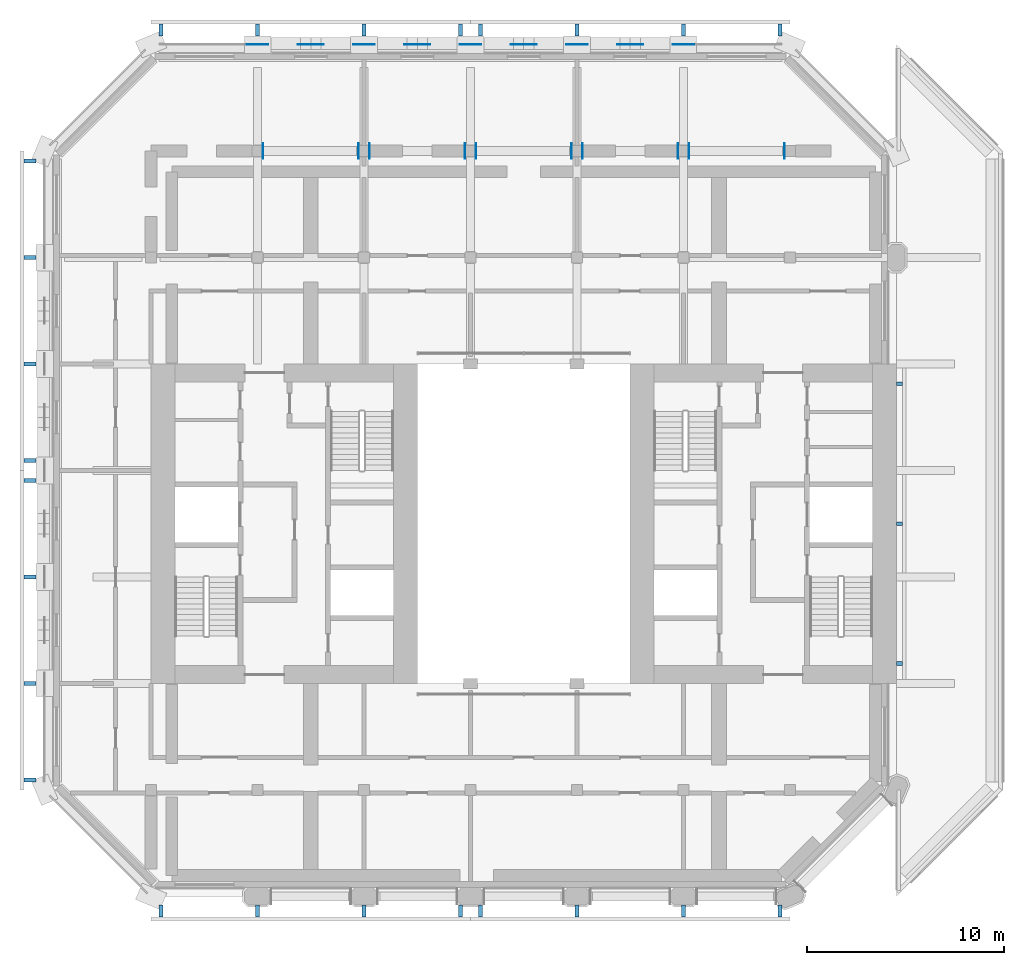
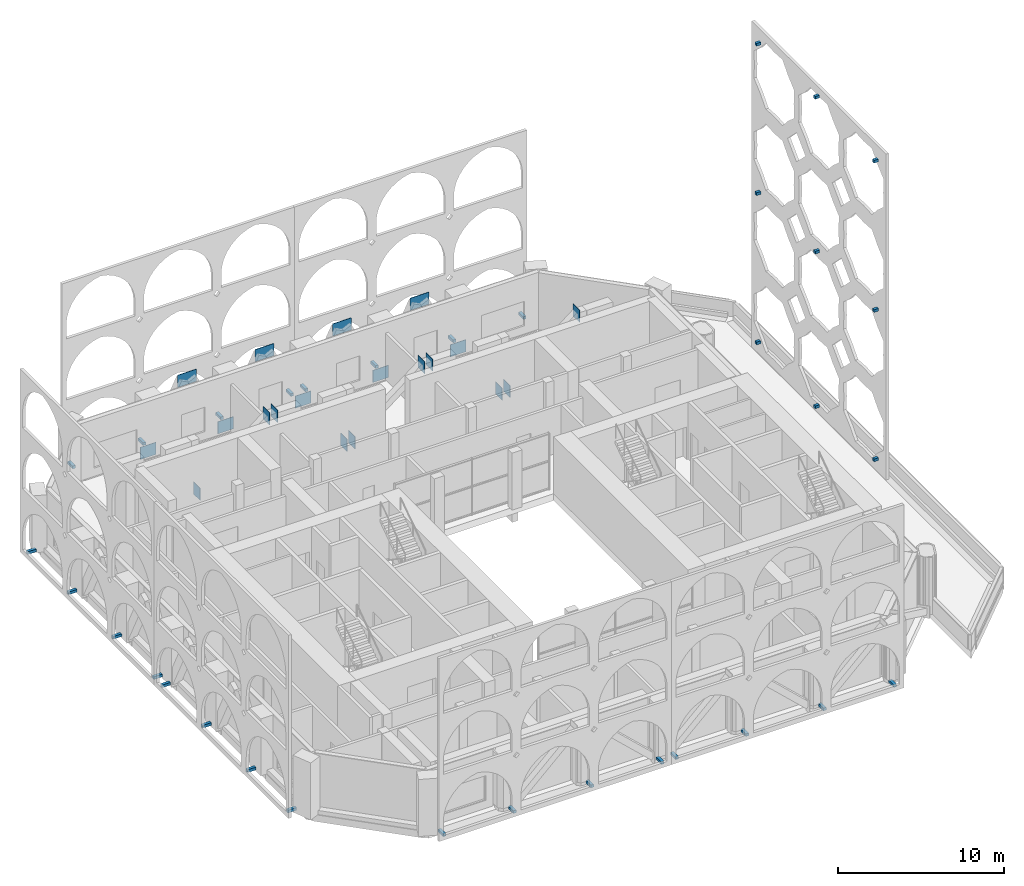
# One storey, part 12 of 16: 52 discrete accessories.
"""IFC4 building model written with IfcOpenShell, lengths in metres."""

from ifc_helpers import new_model, si_unit, direction, frame, origin, origin_2d, place, context, subcontext, project, spatial, rectangle, extrude, material, layer, layer_set, type_object, element, save


model = new_model("IFC4")

# Units and contexts
model_context = context("Model", 3, precision=1e-05, world=origin(), true_north=direction((0.0, 1.0)))
body_context = subcontext(model_context, "Body", "Model", "MODEL_VIEW")
ifc_project = project(units=[si_unit("LENGTHUNIT", "METRE"), si_unit("AREAUNIT", "SQUARE_METRE"), si_unit("VOLUMEUNIT", "CUBIC_METRE"), si_unit("PLANEANGLEUNIT", "RADIAN"), si_unit("MASSUNIT", "GRAM", prefix="KILO")], contexts=[model_context])

# Site, building, storey
site_placement = place(None, origin())
site = spatial("IfcSite", under=ifc_project, at=site_placement, CompositionType="ELEMENT")
building_placement = place(site_placement, origin())
building = spatial("IfcBuilding", under=site, at=building_placement, Name="Tabaq Tower and Sports Hall", CompositionType="ELEMENT")
storey_placement = place(building_placement, frame((0.0, 0.0, 308.199951171875)))
storey = spatial("IfcBuildingStorey", under=building, at=storey_placement, Name="L77", CompositionType="ELEMENT", Elevation=308.199951171875)

# Discrete accessories
ifc_material_1 = material(Name="Steel S355", Category="steel")
ifc_layer_1 = layer(ifc_material_1, 0.030029296875)
ifc_layer_set_1 = layer_set([ifc_layer_1], Name="BELT TRUSS NODE PLATE 800x900x30 S355")
discrete_accessory_type_1 = type_object("IfcDiscreteAccessoryType", Name="BELT TRUSS NODE PLATE 800x900x30 S355", PredefinedType="ANCHORPLATE", material=ifc_layer_set_1)
for number, where, z_axis, x_axis, name in (
    (1, (11.074951171875, 43.199951171875, -0.272705078125), (0.0, 0.0, 1.0), (1.0, 0.0, 0.0), "Belt truss node plate L77"),
    (2, (15.925048828125, 43.199951171875, 3.572998046875), (0.0, 0.0, 1.0), (1.0, 0.0, 0.0), "Belt truss node plate L77"),
    (3, (16.47509765625, 43.199951171875, 3.572998046875), (0.0, 0.0, 1.0), (1.0, 0.0, 0.0), "Belt truss node plate L77"),
    (4, (21.324951171875, 43.199951171875, -0.272705078125), (0.0, 0.0, 1.0), (1.0, 0.0, 0.0), "Belt truss node plate L77"),
    (5, (21.875, 43.199951171875, -0.272705078125), (0.0, 0.0, 1.0), (1.0, 0.0, 0.0), "Belt truss node plate L77"),
    (6, (26.72509765625, 43.199951171875, 3.572998046875), (0.0, 0.0, 1.0), (1.0, 0.0, 0.0), "Belt truss node plate L77"),
    (7, (27.27490234375, 43.199951171875, 3.572998046875), (0.0, 0.0, 1.0), (1.0, 0.0, 0.0), "Belt truss node plate L77"),
    (8, (32.125, 43.199951171875, -0.272705078125), (0.0, 0.0, 1.0), (1.0, 0.0, 0.0), "Belt truss node plate L77"),
    (9, (32.675048828125, 43.199951171875, -0.272705078125), (0.0, 0.0, 1.0), (1.0, 0.0, 0.0), "Belt truss node plate L77"),
    (10, (37.52490234375, 43.199951171875, 3.572998046875), (0.0, 0.0, 1.0), (1.0, 0.0, 0.0), "Belt truss node plate L77"),
):
    element("IfcDiscreteAccessory", number, at=place(storey_placement, frame(where, z_axis=z_axis, x_axis=x_axis)), inside=storey, type_object=discrete_accessory_type_1, Name=name, PredefinedType="ANCHORPLATE", context=body_context, shape_type="SweptSolid", body=[
        extrude(rectangle(XDim=0.030029296875, YDim=0.800048828125, at=origin_2d()), origin(), (0.0, 0.0, 1.0), 0.89990234375),
    ])
ifc_material_2 = material(Name="Steel S355", Category="steel")
ifc_layer_2 = layer(ifc_material_2, 0.030029296875)
ifc_layer_set_2 = layer_set([ifc_layer_2], Name="TRANSFER BAND NODE PLATE 1100x900x30 S355")
discrete_accessory_type_2 = type_object("IfcDiscreteAccessoryType", Name="TRANSFER BAND NODE PLATE 1100x900x30 S355", PredefinedType="ANCHORPLATE", material=ifc_layer_set_2)
for number, where, z_axis, x_axis, name in (
    (11, (10.800048828125, 48.614990234375, -0.5), (0.0, 0.0, 1.0), (-1.0, 0.0, 0.0), "Transfer band node plate L77 North"),
    (12, (16.199951171875, 48.614990234375, -0.5), (0.0, 0.0, 1.0), (-1.0, 0.0, 0.0), "Transfer band node plate L77 North"),
    (13, (21.60009765625, 48.614990234375, -0.5), (0.0, 0.0, 1.0), (-1.0, 0.0, 0.0), "Transfer band node plate L77 North"),
    (14, (27.0, 48.614990234375, -0.5), (0.0, 0.0, 1.0), (-1.0, 0.0, 0.0), "Transfer band node plate L77 North"),
    (15, (32.39990234375, 48.614990234375, -0.5), (0.0, 0.0, 1.0), (-1.0, 0.0, 0.0), "Transfer band node plate L77 North"),
):
    element("IfcDiscreteAccessory", number, at=place(storey_placement, frame(where, z_axis=z_axis, x_axis=x_axis)), inside=storey, type_object=discrete_accessory_type_2, Name=name, PredefinedType="ANCHORPLATE", context=body_context, shape_type="SweptSolid", body=[
        extrude(rectangle(XDim=1.10009765625, YDim=0.030029296875, at=origin_2d()), origin(), (0.0, 0.0, 1.0), 0.89990234375),
    ])
ifc_material_3 = material(Name="Steel S355", Category="steel")
ifc_layer_3 = layer(ifc_material_3, 0.030029296875)
ifc_layer_set_3 = layer_set([ifc_layer_3], Name="TRANSFER BAND NODE PLATE 1300x900x30 S355")
discrete_accessory_type_3 = type_object("IfcDiscreteAccessoryType", Name="TRANSFER BAND NODE PLATE 1300x900x30 S355", PredefinedType="ANCHORPLATE", material=ifc_layer_set_3)
for number, where, z_axis, x_axis, name in (
    (16, (13.5, 48.614990234375, 3.900146484375), (0.0, 0.0, 1.0), (-1.0, 0.0, 0.0), "Transfer band node plate L77 North"),
    (17, (18.89990234375, 48.614990234375, 3.900146484375), (0.0, 0.0, 1.0), (-1.0, 0.0, 0.0), "Transfer band node plate L77 North"),
    (18, (24.300048828125, 48.614990234375, 3.900146484375), (0.0, 0.0, 1.0), (-1.0, 0.0, 0.0), "Transfer band node plate L77 North"),
    (19, (29.699951171875, 48.614990234375, 3.900146484375), (0.0, 0.0, 1.0), (-1.0, 0.0, 0.0), "Transfer band node plate L77 North"),
):
    element("IfcDiscreteAccessory", number, at=place(storey_placement, frame(where, z_axis=z_axis, x_axis=x_axis)), inside=storey, type_object=discrete_accessory_type_3, Name=name, PredefinedType="ANCHORPLATE", context=body_context, shape_type="SweptSolid", body=[
        extrude(rectangle(XDim=1.300048828125, YDim=0.030029296875, at=origin_2d()), origin(), (0.0, 0.0, 1.0), 0.89990234375),
    ])
for number, where, z_axis, x_axis, name in (
    (20, (43.35009765625, 17.199951171875, 6.89990234375), (0.0, 0.0, 1.0), (0.0, 1.0, 0.0), "Stainless steel bracket"),
    (21, (43.35009765625, 17.199951171875, 17.89990234375), (0.0, 0.0, 1.0), (0.0, 1.0, 0.0), "Stainless steel bracket"),
    (22, (43.35009765625, 17.199951171875, 28.89990234375), (0.0, 0.0, 1.0), (0.0, 1.0, 0.0), "Stainless steel bracket"),
    (23, (43.35009765625, 24.300048828125, 6.5), (0.0, 0.0, 1.0), (0.0, 1.0, 0.0), "Stainless steel bracket"),
    (24, (43.35009765625, 24.300048828125, 17.89990234375), (0.0, 0.0, 1.0), (0.0, 1.0, 0.0), "Stainless steel bracket"),
    (25, (43.35009765625, 24.300048828125, 29.30029296875), (0.0, 0.0, 1.0), (0.0, 1.0, 0.0), "Stainless steel bracket"),
    (26, (43.35009765625, 31.39990234375, 6.89990234375), (0.0, 0.0, 1.0), (0.0, 1.0, 0.0), "Stainless steel bracket"),
    (27, (43.35009765625, 31.39990234375, 17.89990234375), (0.0, 0.0, 1.0), (0.0, 1.0, 0.0), "Stainless steel bracket"),
    (28, (43.35009765625, 31.39990234375, 28.89990234375), (0.0, 0.0, 1.0), (0.0, 1.0, 0.0), "Stainless steel bracket"),
):
    element("IfcDiscreteAccessory", number, at=place(storey_placement, frame(where, z_axis=z_axis, x_axis=x_axis)), inside=storey, Name=name, PredefinedType="BRACKET", context=body_context, shape_type="SweptSolid", body=[
        extrude(rectangle(XDim=0.199951171875, YDim=0.300048828125, at=origin_2d()), origin(), (0.0, 0.0, 1.0), 0.199951171875),
    ])
for number, where, z_axis, x_axis, name in (
    (29, (5.89990234375, 4.64990234375, 0.10009765625), (0.0, 0.0, 1.0), (0.0, -1.0, 0.0), "Stainless steel bracket"),
    (30, (10.800048828125, 4.64990234375, 0.10009765625), (0.0, 0.0, 1.0), (0.0, -1.0, 0.0), "Stainless steel bracket"),
    (31, (16.199951171875, 4.64990234375, 0.10009765625), (0.0, 0.0, 1.0), (0.0, -1.0, 0.0), "Stainless steel bracket"),
    (32, (21.10009765625, 4.64990234375, 0.10009765625), (0.0, 0.0, 1.0), (0.0, -1.0, 0.0), "Stainless steel bracket"),
    (33, (22.10009765625, 4.64990234375, 0.10009765625), (0.0, 0.0, 1.0), (0.0, -1.0, 0.0), "Stainless steel bracket"),
    (34, (27.0, 4.64990234375, 0.10009765625), (0.0, 0.0, 1.0), (0.0, -1.0, 0.0), "Stainless steel bracket"),
    (35, (32.39990234375, 4.64990234375, 0.10009765625), (0.0, 0.0, 1.0), (0.0, -1.0, 0.0), "Stainless steel bracket"),
    (36, (37.300048828125, 4.64990234375, 0.10009765625), (0.0, 0.0, 1.0), (0.0, -1.0, 0.0), "Stainless steel bracket"),
    (37, (37.300048828125, 49.35009765625, 0.10009765625), (0.0, 0.0, 1.0), (0.0, 1.0, 0.0), "Stainless steel bracket"),
    (38, (32.39990234375, 49.35009765625, 0.10009765625), (0.0, 0.0, 1.0), (0.0, 1.0, 0.0), "Stainless steel bracket"),
    (39, (27.0, 49.35009765625, 0.10009765625), (0.0, 0.0, 1.0), (0.0, 1.0, 0.0), "Stainless steel bracket"),
    (40, (22.10009765625, 49.35009765625, 0.10009765625), (0.0, 0.0, 1.0), (0.0, 1.0, 0.0), "Stainless steel bracket"),
    (41, (21.10009765625, 49.35009765625, 0.10009765625), (0.0, 0.0, 1.0), (0.0, 1.0, 0.0), "Stainless steel bracket"),
    (42, (16.199951171875, 49.35009765625, 0.10009765625), (0.0, 0.0, 1.0), (0.0, 1.0, 0.0), "Stainless steel bracket"),
    (43, (10.800048828125, 49.35009765625, 0.10009765625), (0.0, 0.0, 1.0), (0.0, 1.0, 0.0), "Stainless steel bracket"),
    (44, (5.89990234375, 49.35009765625, 0.10009765625), (0.0, 0.0, 1.0), (0.0, 1.0, 0.0), "Stainless steel bracket"),
    (45, (-0.75, 42.699951171875, 0.10009765625), (0.0, 0.0, 1.0), (-1.0, 0.0, 0.0), "Stainless steel bracket"),
    (46, (-0.75, 37.800048828125, 0.10009765625), (0.0, 0.0, 1.0), (-1.0, 0.0, 0.0), "Stainless steel bracket"),
    (47, (-0.75, 32.39990234375, 0.10009765625), (0.0, 0.0, 1.0), (-1.0, 0.0, 0.0), "Stainless steel bracket"),
    (48, (-0.75, 27.5, 0.10009765625), (0.0, 0.0, 1.0), (-1.0, 0.0, 0.0), "Stainless steel bracket"),
    (49, (-0.75, 26.5, 0.10009765625), (0.0, 0.0, 1.0), (-1.0, 0.0, 0.0), "Stainless steel bracket"),
    (50, (-0.75, 21.60009765625, 0.10009765625), (0.0, 0.0, 1.0), (-1.0, 0.0, 0.0), "Stainless steel bracket"),
    (51, (-0.75, 16.199951171875, 0.10009765625), (0.0, 0.0, 1.0), (-1.0, 0.0, 0.0), "Stainless steel bracket"),
    (52, (-0.75, 11.300048828125, 0.10009765625), (0.0, 0.0, 1.0), (-1.0, 0.0, 0.0), "Stainless steel bracket"),
):
    element("IfcDiscreteAccessory", number, at=place(storey_placement, frame(where, z_axis=z_axis, x_axis=x_axis)), inside=storey, Name=name, PredefinedType="BRACKET", context=body_context, shape_type="SweptSolid", body=[
        extrude(rectangle(XDim=0.60009765625, YDim=0.199951171875, at=origin_2d()), origin(), (0.0, 0.0, 1.0), 0.199951171875),
    ])

save(model, "model.ifc")
